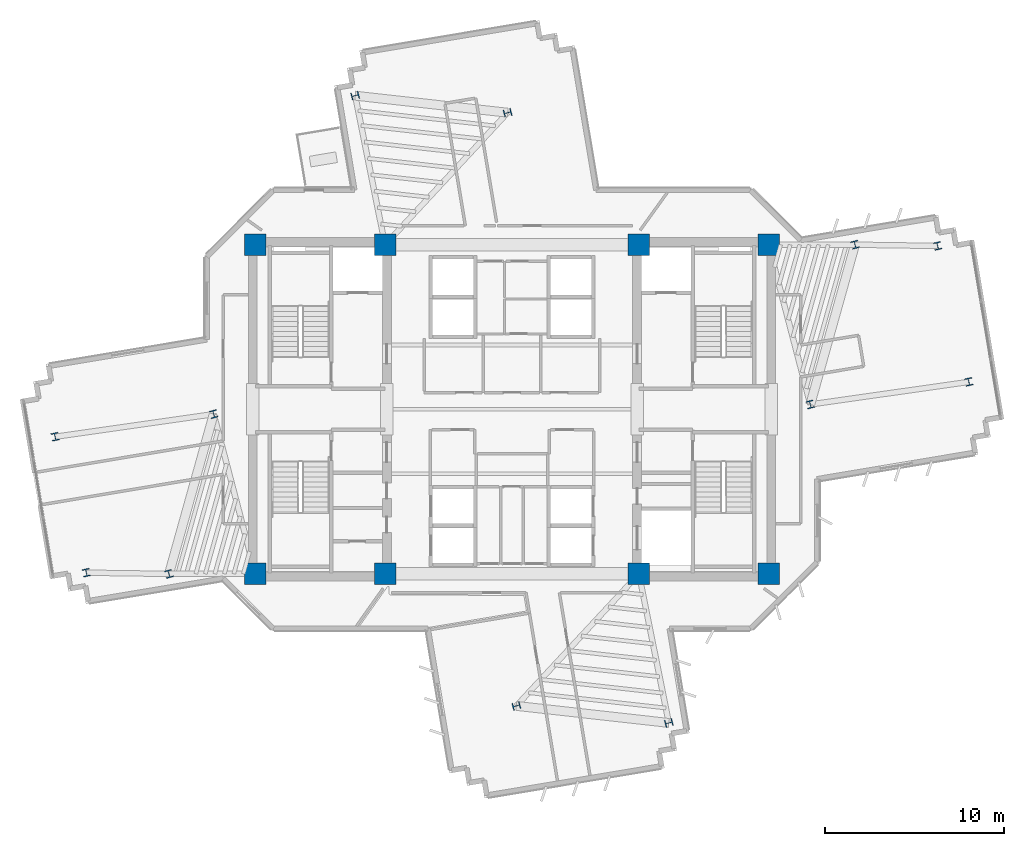
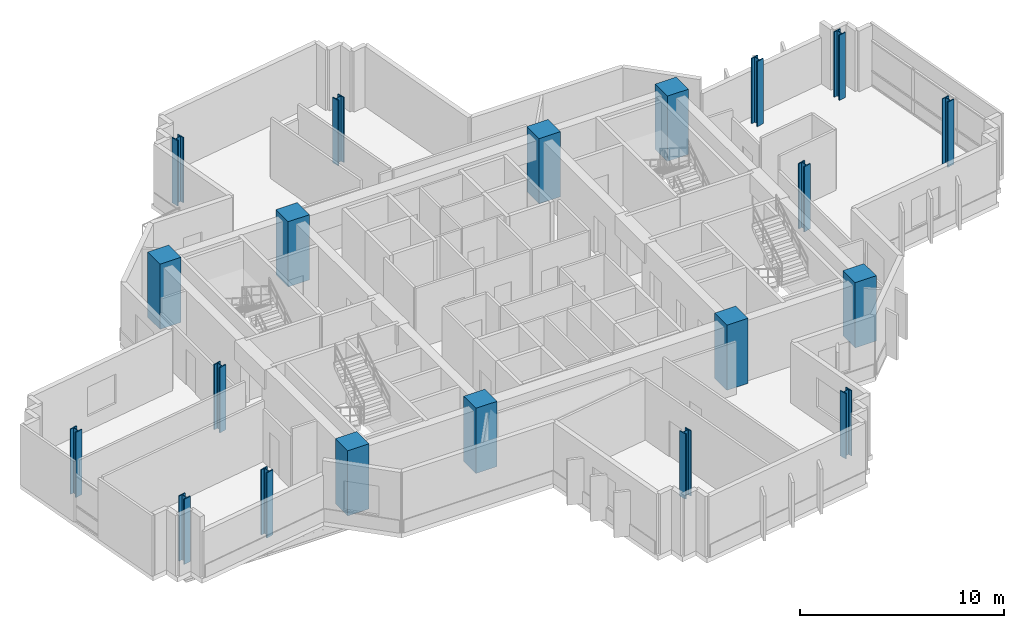
# One storey, part 1 of 15: 20 columns.
"""IFC4 building model written with IfcOpenShell, lengths in metres."""

import ifcopenshell
import ifcopenshell.guid

model = None  # the IFC model being written
_history = None  # IfcOwnerHistory: only IFC2X3 demands one
_inside = {}  # id of a spatial element -> (the spatial element, [elements in it])
_under = {}  # id of a project, library or spatial element -> (it, [spatial elements below it])
_declared = {}  # id of a project -> (the project, [libraries it declares])
_typed = {}  # id of a type object -> (the type object, [elements of that type])
_made_of = {}  # id of a material, layer set ... -> (it, [elements and type objects made of it])


def new_model(schema):
    """Start an empty IFC model of exactly this schema.

    Asked for "IFC4X3", IfcOpenShell would pick the latest addendum, in which some entities
    have other attributes; the version numbers below select the first issue.
    IFC2X3 requires an IfcOwnerHistory on every rooted entity: one is made here for all.
    """
    global model, _history
    if schema == "IFC4X3":
        model = ifcopenshell.file(schema_version=(4, 3, 0, 0))
    else:
        model = ifcopenshell.file(schema=schema)
    _inside.clear()
    _under.clear()
    _declared.clear()
    _typed.clear()
    _made_of.clear()
    _history = None
    if model.schema == "IFC2X3":
        org = make("IfcOrganization", Name="unknown")
        user = make(
            "IfcPersonAndOrganization",
            ThePerson=make("IfcPerson", FamilyName="unknown"),
            TheOrganization=org,
        )
        app = make(
            "IfcApplication",
            ApplicationDeveloper=org,
            Version="unknown",
            ApplicationFullName="unknown",
            ApplicationIdentifier="unknown",
        )
        _history = make(
            "IfcOwnerHistory",
            OwningUser=user,
            OwningApplication=app,
            ChangeAction="ADDED",
            CreationDate=0,
        )
    return model


def make(cls, **values):
    """One entity of the class cls with the attributes given. An attribute that is None is left unset."""
    return model.create_entity(
        cls, **{name: value for name, value in values.items() if value is not None}
    )


def rooted(cls, **values):
    """An entity with a GlobalId (a new one), such as an element, a storey or a relation."""
    return make(cls, GlobalId=ifcopenshell.guid.new(), OwnerHistory=_history, **values)


def si_unit(unit_type, name, prefix=None):
    """IfcSIUnit, for example si_unit("LENGTHUNIT", "METRE", prefix="MILLI")."""
    return make("IfcSIUnit", UnitType=unit_type, Prefix=prefix, Name=name)


def assignment(units):
    """IfcUnitAssignment: the units of a project."""
    return None if units is None else make("IfcUnitAssignment", Units=units)


def point(xyz):
    """IfcCartesianPoint."""
    return None if xyz is None else make("IfcCartesianPoint", Coordinates=xyz)


def direction(xyz):
    """IfcDirection."""
    return None if xyz is None else make("IfcDirection", DirectionRatios=xyz)


def frame(location, z_axis=None, x_axis=None):
    """IfcAxis2Placement3D, a coordinate frame: its origin and axes. An axis left out is left unset."""
    return make(
        "IfcAxis2Placement3D",
        Location=point(location),
        Axis=direction(z_axis),
        RefDirection=direction(x_axis),
    )


def frame_2d(location, x_axis=None):
    """IfcAxis2Placement2D, a coordinate frame in the plane: its origin and x axis."""
    return make(
        "IfcAxis2Placement2D", Location=point(location), RefDirection=direction(x_axis)
    )


def origin():
    """The frame at (0, 0, 0) with its axes left unset."""
    return frame((0.0, 0.0, 0.0))


def origin_2d():
    """The frame at (0, 0) in the plane with its x axis left unset."""
    return frame_2d((0.0, 0.0))


def place(relative_to, where):
    """IfcLocalPlacement: puts the frame where relative to a parent placement (None: the world)."""
    return make(
        "IfcLocalPlacement", PlacementRelTo=relative_to, RelativePlacement=where
    )


def context(
    kind, dimensions, precision=None, world=None, true_north=None, identifier=None
):
    """IfcGeometricRepresentationContext, for example the 3D "Model" context."""
    return make(
        "IfcGeometricRepresentationContext",
        ContextIdentifier=identifier,
        ContextType=kind,
        CoordinateSpaceDimension=dimensions,
        Precision=precision,
        WorldCoordinateSystem=world,
        TrueNorth=true_north,
    )


def subcontext(parent, identifier, kind, view, scale=None):
    """IfcGeometricRepresentationSubContext, for example "Body" below "Model"."""
    return make(
        "IfcGeometricRepresentationSubContext",
        ContextIdentifier=identifier,
        ContextType=kind,
        ParentContext=parent,
        TargetScale=scale,
        TargetView=view,
    )


def project(units=None, contexts=None):
    """IfcProject with its units and contexts."""
    return rooted(
        "IfcProject",
        Name="project",
        RepresentationContexts=contexts,
        UnitsInContext=assignment(units),
    )


def spatial(cls, under=None, at=None, **own):
    """A site, building, storey or space (cls), placed at a placement, below another one or the project."""
    s = rooted(cls, ObjectPlacement=at, **own)
    if under is not None:
        _under.setdefault(under.id(), (under, []))[1].append(s)
    return s


def profile(cls, at=None, kind="AREA", **sizes):
    """A parametric profile (cls). Its sizes go by their IFC names, for example OverallWidth=200.0."""
    return make(cls, ProfileType=kind, Position=at, **sizes)


def rectangle(**sizes):
    """IfcRectangleProfileDef."""
    return profile("IfcRectangleProfileDef", **sizes)


def i_section(**sizes):
    """IfcIShapeProfileDef."""
    return profile("IfcIShapeProfileDef", **sizes)


def extrude(swept, where, along, depth):
    """IfcExtrudedAreaSolid: the profile swept, set in the frame where, extruded along a direction by depth."""
    return make(
        "IfcExtrudedAreaSolid",
        SweptArea=swept,
        Position=where,
        ExtrudedDirection=direction(along),
        Depth=depth,
    )


def shape(context_of_items, identifier, shape_type, items):
    """IfcShapeRepresentation: the items that make up one representation, for example the "Body"."""
    return make(
        "IfcShapeRepresentation",
        ContextOfItems=context_of_items,
        RepresentationIdentifier=identifier,
        RepresentationType=shape_type,
        Items=items,
    )


def source(mapping_origin, context_of_items, identifier, shape_type, items):
    """IfcRepresentationMap: a shape defined once, which mapped items show again and again."""
    return make(
        "IfcRepresentationMap",
        MappingOrigin=mapping_origin,
        MappedRepresentation=shape(context_of_items, identifier, shape_type, items),
    )


def transform(
    local_origin,
    x_axis=None,
    y_axis=None,
    z_axis=None,
    scale=None,
    scale2=None,
    scale3=None,
    uniform=True,
):
    """IfcCartesianTransformationOperator3D, or its non-uniform kind. x_axis, y_axis, z_axis: its Axis1, 2, 3."""
    if uniform:
        return make(
            "IfcCartesianTransformationOperator3D",
            Axis1=direction(x_axis),
            Axis2=direction(y_axis),
            LocalOrigin=point(local_origin),
            Scale=scale,
            Axis3=direction(z_axis),
        )
    return make(
        "IfcCartesianTransformationOperator3DnonUniform",
        Axis1=direction(x_axis),
        Axis2=direction(y_axis),
        LocalOrigin=point(local_origin),
        Scale=scale,
        Axis3=direction(z_axis),
        Scale2=scale2,
        Scale3=scale3,
    )


def mapped(mapping_source, mapping_target):
    """IfcMappedItem: shows the shape of a source again, moved by a transform."""
    return make(
        "IfcMappedItem", MappingSource=mapping_source, MappingTarget=mapping_target
    )


def material(Name=None, Category=None):
    """IfcMaterial."""
    return make("IfcMaterial", Name=Name, Category=Category)


def material_profile(
    of_material, cross_section, Name=None, Category=None, Priority=None
):
    """IfcMaterialProfile: a cross section and its material."""
    return make(
        "IfcMaterialProfile",
        Name=Name,
        Material=of_material,
        Profile=cross_section,
        Priority=Priority,
        Category=Category,
    )


def profile_set(profiles, Name=None, composite=None):
    """IfcMaterialProfileSet."""
    return make(
        "IfcMaterialProfileSet",
        Name=Name,
        MaterialProfiles=profiles,
        CompositeProfile=composite,
    )


def made_of(thing, what):
    """Note that an element or type object is made of a material, layer set ...; save() writes the relation."""
    if what is not None:
        _made_of.setdefault(what.id(), (what, []))[1].append(thing)
    return thing


def type_object(cls, material=None, **own):
    """A type object (cls), such as IfcWallType, which elements share."""
    return made_of(rooted(cls, **own), material)


def element(
    cls,
    number,
    at=None,
    inside=None,
    cuts=None,
    type_object=None,
    material=None,
    context=None,
    identifier="Body",
    shape_type=None,
    held_by="IfcProductDefinitionShape",
    body=None,
    shapes=None,
    **own,
):
    """One element of the class cls, such as IfcWall. Its Tag is "e" and its number.

    at: its placement. inside: the storey or other place that contains it. cuts: it is an
    opening in that element (IfcRelVoidsElement). A single representation is given by context,
    identifier, shape_type and body (its items); several are given by shapes. held_by: the class
    of the entity that holds the representations. save() writes the other relations.
    """
    e = rooted(cls, Tag="e%d" % number, ObjectPlacement=at, **own)
    if body is not None:
        shapes = [shape(context, identifier, shape_type, body)]
    if shapes is not None:
        e.Representation = make(held_by, Representations=shapes)
    if inside is not None:
        _inside.setdefault(inside.id(), (inside, []))[1].append(e)
    if cuts is not None:
        rooted(
            "IfcRelVoidsElement", RelatingBuildingElement=cuts, RelatedOpeningElement=e
        )
    if type_object is not None:
        _typed.setdefault(type_object.id(), (type_object, []))[1].append(e)
    return made_of(e, material)


def aggregate(whole, parts):
    """IfcRelAggregates: a whole, such as a stair, and the parts it consists of."""
    return rooted("IfcRelAggregates", RelatingObject=whole, RelatedObjects=parts)


def save(model, path):
    """Write the relations noted so far, then the file.

    IfcRelAggregates (storeys below a building ...), IfcRelContainedInSpatialStructure (elements
    in a storey), IfcRelDefinesByType, IfcRelAssociatesMaterial and IfcRelDeclares: one each for
    every whole, place, type object, material and project.
    """
    for whole, parts in _under.values():
        aggregate(whole, parts)
    for where, things in _inside.values():
        rooted(
            "IfcRelContainedInSpatialStructure",
            RelatedElements=things,
            RelatingStructure=where,
        )
    for kind, things in _typed.values():
        rooted("IfcRelDefinesByType", RelatedObjects=things, RelatingType=kind)
    for what, things in _made_of.values():
        rooted("IfcRelAssociatesMaterial", RelatedObjects=things, RelatingMaterial=what)
    for by, libraries in _declared.values():
        rooted("IfcRelDeclares", RelatingContext=by, RelatedDefinitions=libraries)
    model.write(path)


model = new_model("IFC4")

# Units and contexts
model_context = context("Model", 3, precision=1e-05, world=origin(), true_north=direction((0.0, 1.0)))
body_context = subcontext(model_context, "Body", "Model", "MODEL_VIEW")
ifc_project = project(units=[si_unit("LENGTHUNIT", "METRE"), si_unit("AREAUNIT", "SQUARE_METRE"), si_unit("VOLUMEUNIT", "CUBIC_METRE"), si_unit("PLANEANGLEUNIT", "RADIAN"), si_unit("MASSUNIT", "GRAM", prefix="KILO")], contexts=[model_context])

# Site, building, storey
site_placement = place(None, origin())
site = spatial("IfcSite", under=ifc_project, at=site_placement, CompositionType="ELEMENT")
building_placement = place(site_placement, origin())
building = spatial("IfcBuilding", under=site, at=building_placement, Name="Zahravan Cultural Tower", CompositionType="ELEMENT")
storey_placement = place(building_placement, frame((0.0, 0.0, 143.39990234375)))
storey = spatial("IfcBuildingStorey", under=building, at=storey_placement, Name="L32", CompositionType="ELEMENT", Elevation=143.39990234375)

# Columns
ifc_material_1 = material(Name="Concrete C50/60", Category="concrete")
ifc_material_profile_1 = material_profile(ifc_material_1, rectangle(XDim=1.199951171875, YDim=1.199951171875, at=origin_2d()), Name="RC1200X1200")
ifc_profile_set_1 = profile_set([ifc_material_profile_1], Name="Concrete C50/60")
column_type_1 = type_object("IfcColumnType", Name="COL-RC1200", PredefinedType="COLUMN", material=ifc_profile_set_1)
shared_shape_1 = source(origin(), body_context, "Body", "SweptSolid", [
    extrude(rectangle(XDim=1.199951171875, YDim=1.199951171875, at=origin_2d()), origin(), (0.0, 0.0, 1.0), 3.900146484375),
])
for number, where, z_axis, x_axis, name in (
    (1, (21.64990234375, 17.800048828125, 0.0), (0.0, 0.0, 1.0), (1.0, 0.0, 0.0), "L32 Column CC-W1"),
    (2, (28.89990234375, 17.800048828125, 0.0), (0.0, 0.0, 1.0), (1.0, 0.0, 0.0), "L32 Column CC-W2"),
    (3, (21.64990234375, 36.199951171875, 0.0), (0.0, 0.0, 1.0), (1.0, 0.0, 0.0), "L32 Column CC-W3"),
    (4, (28.89990234375, 36.199951171875, 0.0), (0.0, 0.0, 1.0), (1.0, 0.0, 0.0), "L32 Column CC-W4"),
    (5, (43.10009765625, 17.800048828125, 0.0), (0.0, 0.0, 1.0), (1.0, 0.0, 0.0), "L32 Column CC-E1"),
    (6, (50.35009765625, 17.800048828125, 0.0), (0.0, 0.0, 1.0), (1.0, 0.0, 0.0), "L32 Column CC-E2"),
    (7, (43.10009765625, 36.199951171875, 0.0), (0.0, 0.0, 1.0), (1.0, 0.0, 0.0), "L32 Column CC-E3"),
    (8, (50.35009765625, 36.199951171875, 0.0), (0.0, 0.0, 1.0), (1.0, 0.0, 0.0), "L32 Column CC-E4"),
):
    element("IfcColumn", number, at=place(storey_placement, frame(where, z_axis=z_axis, x_axis=x_axis)), inside=storey, type_object=column_type_1, Name=name, PredefinedType="COLUMN", context=body_context, shape_type="MappedRepresentation", body=[
        mapped(shared_shape_1, transform((0.0, 0.0, 0.0), x_axis=(1.0, 0.0, 0.0), y_axis=(0.0, 1.0, 0.0), z_axis=(0.0, 0.0, 1.0), scale=1.0)),
    ])
ifc_material_2 = material(Name="Steel ASTM A992 Grade 50", Category="steel")
ifc_material_profile_2 = material_profile(ifc_material_2, i_section(OverallWidth=0.412109375, OverallDepth=0.43505859375, WebThickness=0.035888671875, FlangeThickness=0.057373046875, FilletRadius=0.01806640625, at=origin_2d()), Name="W14X311")
ifc_profile_set_2 = profile_set([ifc_material_profile_2], Name="Steel ASTM A992 Grade 50")
column_type_2 = type_object("IfcColumnType", Name="COL-W14X311", PredefinedType="COLUMN", material=ifc_profile_set_2)
shared_shape_2 = source(origin(), body_context, "Body", "SweptSolid", [
    extrude(i_section(OverallWidth=0.412109375, OverallDepth=0.43505859375, WebThickness=0.035888671875, FlangeThickness=0.057373046875, FilletRadius=0.01806640625, at=origin_2d()), origin(), (0.0, 0.0, 1.0), 3.900146484375),
])
for number, where, z_axis, x_axis, name in (
    (9, (52.684326171875, 27.27099609375, 0.0), (0.0, 0.0, 1.0), (0.966823388604, 0.255445757936, 0.0), "L32 Column Z2C-E1"),
    (10, (55.184814453125, 36.2060546875, 0.0), (0.0, 0.0, 1.0), (0.966823388604, 0.255445757936, 0.0), "L32 Column Z2C-E2"),
    (11, (35.754638671875, 43.587646484375, 0.0), (0.0, 0.0, 1.0), (-0.255445757936, 0.966823388604, 0.0), "L32 Column Z2C-N1"),
    (12, (27.22802734375, 44.541259765625, 0.0), (0.0, 0.0, 1.0), (-0.255445757936, 0.966823388604, 0.0), "L32 Column Z2C-N2"),
    (13, (19.315673828125, 26.72900390625, 0.0), (0.0, 0.0, 1.0), (0.966823388604, 0.255445757936, 0.0), "L32 Column Z2C-W1"),
    (14, (16.815185546875, 17.7939453125, 0.0), (0.0, 0.0, 1.0), (0.966823388604, 0.255445757936, 0.0), "L32 Column Z2C-W2"),
    (15, (36.245361328125, 10.412353515625, 0.0), (0.0, 0.0, 1.0), (-0.255445757936, 0.966823388604, 0.0), "L32 Column Z2C-S1"),
    (16, (44.77197265625, 9.458740234375, 0.0), (0.0, 0.0, 1.0), (-0.255445757936, 0.966823388604, 0.0), "L32 Column Z2C-S2"),
    (17, (61.552734375, 28.53466796875, 0.0), (0.0, 0.0, 1.0), (0.977415894286, 0.211324796455, 0.0), "L32 Column Z2T-E1"),
    (18, (59.806640625, 36.13720703125, 0.0), (0.0, 0.0, 1.0), (0.977415894286, 0.211324796455, 0.0), "L32 Column Z2T-E2"),
    (19, (10.447265625, 25.46533203125, 0.0), (0.0, 0.0, 1.0), (0.977415894286, 0.211324796455, 0.0), "L32 Column Z2T-W1"),
    (20, (12.193359375, 17.86279296875, 0.0), (0.0, 0.0, 1.0), (0.977415894286, 0.211324796455, 0.0), "L32 Column Z2T-W2"),
):
    element("IfcColumn", number, at=place(storey_placement, frame(where, z_axis=z_axis, x_axis=x_axis)), inside=storey, type_object=column_type_2, Name=name, PredefinedType="COLUMN", context=body_context, shape_type="MappedRepresentation", body=[
        mapped(shared_shape_2, transform((0.0, 0.0, 0.0), x_axis=(1.0, 0.0, 0.0), y_axis=(0.0, 1.0, 0.0), z_axis=(0.0, 0.0, 1.0), scale=1.0)),
    ])

save(model, "model.ifc")
